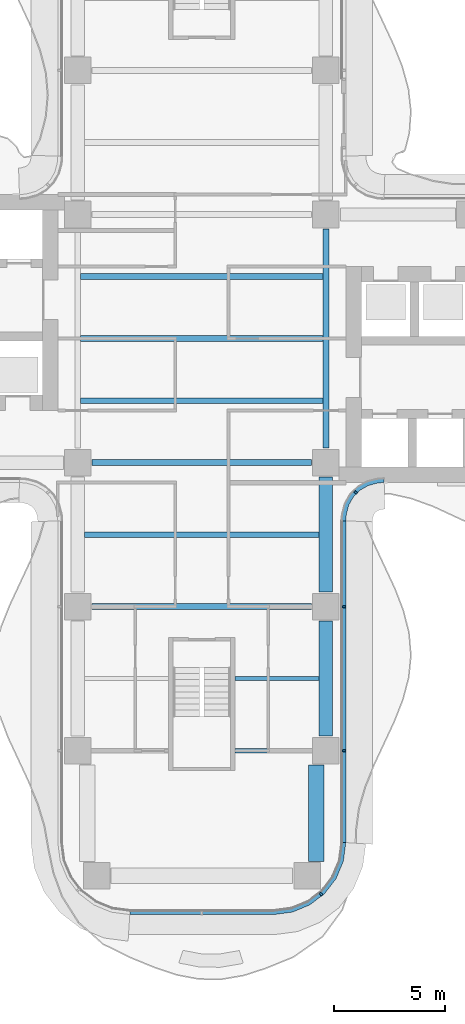
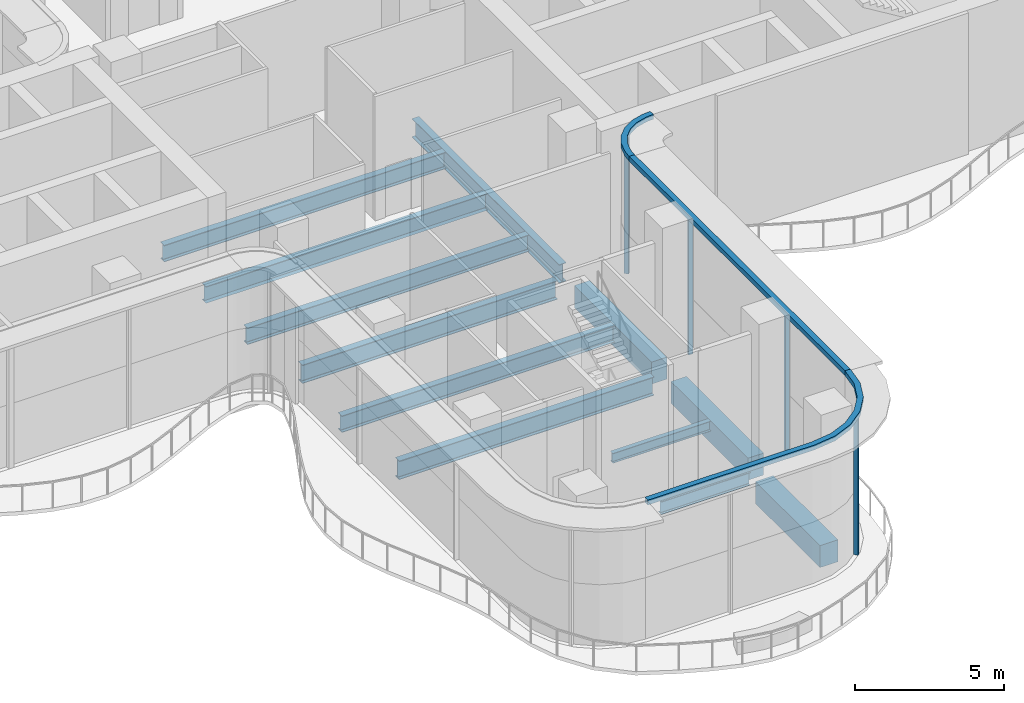
# One storey, part 4 of 19: 12 beams, 7 members, 3 elements without a shape of their own.
"""IFC4 building model written with IfcOpenShell, lengths in metres."""

from ifc_helpers import new_model, si_unit, direction, frame, origin, origin_2d, place, context, subcontext, project, spatial, polyline, rectangle, i_section, outline, extrude, source, transform, mapped, material, layer, layer_set, material_profile, profile_set, type_object, element, aggregate, save


model = new_model("IFC4")

# Units and contexts
model_context = context("Model", 3, precision=1e-05, world=origin(), true_north=direction((0.0, 1.0)))
body_context = subcontext(model_context, "Body", "Model", "MODEL_VIEW")
ifc_project = project(units=[si_unit("LENGTHUNIT", "METRE"), si_unit("AREAUNIT", "SQUARE_METRE"), si_unit("VOLUMEUNIT", "CUBIC_METRE"), si_unit("PLANEANGLEUNIT", "RADIAN"), si_unit("MASSUNIT", "GRAM", prefix="KILO")], contexts=[model_context])

# Site, building, storey
site_placement = place(None, origin())
site = spatial("IfcSite", under=ifc_project, at=site_placement, CompositionType="ELEMENT")
building_placement = place(site_placement, origin())
building = spatial("IfcBuilding", under=site, at=building_placement, Name="Trellis Farm Tower", CompositionType="ELEMENT")
storey_placement = place(building_placement, frame((0.0, 0.0, 156.0)))
storey = spatial("IfcBuildingStorey", under=building, at=storey_placement, Name="L33", CompositionType="ELEMENT", Elevation=156.0)

# Curtain wall, member
ifc_material_1 = material(Name="Aluminium and glass curtain wall", Category="aluminium")
ifc_layer_1 = layer(ifc_material_1, 0.196044921875)
ifc_layer_set_1 = layer_set([ifc_layer_1], Name="LOUVRED GLASS CURTAIN WALL CW6")
curtain_wall_type = type_object("IfcCurtainWallType", Name="LOUVRED GLASS CURTAIN WALL CW6", PredefinedType="NOTDEFINED", material=ifc_layer_set_1)
placement_1 = place(storey_placement, origin())
curtain_wall_1 = element("IfcCurtainWall", 1, at=placement_1, inside=storey, type_object=curtain_wall_type, Name="CW6 004", PredefinedType="NOTDEFINED")
ifc_material_2 = material(Name="Aluminium extrusion 6063-T6", Category="aluminium")
ifc_layer_2 = layer(ifc_material_2, 0.2099609375)
ifc_layer_set_2 = layer_set([ifc_layer_2], Name="Aluminium extrusion 6063-T6")
member_type_1 = type_object("IfcMemberType", Name="CW6 TRANSOM 210x200", PredefinedType="USERDEFINED", material=ifc_layer_set_2)
placement_2 = place(storey_placement, frame((0.0, 0.0, 5.60009765625)))
member_1 = element("IfcMember", 2, at=placement_2, type_object=member_type_1, Name="TR6 004", ObjectType="TRANSOM", PredefinedType="USERDEFINED", context=body_context, shape_type="SweptSolid", body=[
    extrude(outline(polyline([(-3.25, -26.0), (3.25, -26.0), (4.091064453125, -25.88916015625), (4.875, -25.564697265625), (5.548095703125, -25.048095703125), (6.064697265625, -24.375), (6.38916015625, -23.591064453125), (6.5, -22.75), (6.2900390625, -22.736328125), (6.1845703125, -23.536376953125), (5.881103515625, -24.26904296875), (5.3984375, -24.8984375), (4.76904296875, -25.381103515625), (4.036376953125, -25.6845703125), (3.236328125, -25.7900390625), (-3.236328125, -25.7900390625), (-3.25, -26.0)])), origin(), (0.0, 0.0, 1.0), 0.199951171875),
])

curtain_wall_2 = element("IfcCurtainWall", 3, at=placement_1, inside=storey, type_object=curtain_wall_type, Name="CW6 005", PredefinedType="NOTDEFINED")
member_2 = element("IfcMember", 4, at=placement_2, type_object=member_type_1, Name="TR6 005", ObjectType="TRANSOM", PredefinedType="USERDEFINED", context=body_context, shape_type="SweptSolid", body=[
    extrude(outline(polyline([(6.5, -22.75), (6.5, -8.2314453125), (6.2900390625, -8.224609375), (6.2900390625, -22.736328125), (6.5, -22.75)])), origin(), (0.0, 0.0, 1.0), 0.199951171875),
])

# Beams
ifc_material_3 = material(Name="Steel S355", Category="steel")
ifc_material_profile_1 = material_profile(ifc_material_3, i_section(OverallWidth=0.253662109375, OverallDepth=0.68359375, WebThickness=0.012451171875, FlangeThickness=0.021728515625, FilletRadius=0.01513671875, at=origin_2d()), Name="UB 686x254x140")
ifc_profile_set_1 = profile_set([ifc_material_profile_1], Name="Steel S355")
beam_type_1 = type_object("IfcBeamType", Name="UB 686x254x140 joist", PredefinedType="JOIST", material=ifc_profile_set_1)
shared_shape_1 = source(origin(), body_context, "Body", "SweptSolid", [
    extrude(i_section(OverallWidth=0.253662109375, OverallDepth=0.68359375, WebThickness=0.012451171875, FlangeThickness=0.021728515625, FilletRadius=0.01513671875, at=origin_2d()), origin(), (0.0, 0.0, 1.0), 10.93310546875),
])
for number, where, z_axis, x_axis, name in (
    (5, (-5.466552734375, -2.800048828125, -0.691650390625), (1.0, 0.0, 0.0), (0.0, 1.0, 0.0), "Floor beam"),
    (6, (-5.466552734375, 0.0, -0.691650390625), (1.0, 0.0, 0.0), (0.0, 1.0, 0.0), "Floor beam"),
    (7, (-5.466552734375, 2.800048828125, -0.691650390625), (1.0, 0.0, 0.0), (0.0, 1.0, 0.0), "Floor beam"),
):
    element("IfcBeam", number, at=place(storey_placement, frame(where, z_axis=z_axis, x_axis=x_axis)), inside=storey, type_object=beam_type_1, Name=name, PredefinedType="JOIST", context=body_context, shape_type="MappedRepresentation", body=[
        mapped(shared_shape_1, transform((0.0, 0.0, 0.0))),
    ])
ifc_material_profile_2 = material_profile(ifc_material_3, i_section(OverallWidth=0.177978515625, OverallDepth=0.406494140625, WebThickness=0.0078125, FlangeThickness=0.0126953125, FilletRadius=0.01025390625, at=origin_2d()), Name="UB 406x178x60")
ifc_profile_set_2 = profile_set([ifc_material_profile_2], Name="Steel S355")
beam_type_2 = type_object("IfcBeamType", Name="UB 406x178x60 joist", PredefinedType="JOIST", material=ifc_profile_set_2)
shared_shape_2 = source(origin(), body_context, "Body", "SweptSolid", [
    extrude(i_section(OverallWidth=0.177978515625, OverallDepth=0.406494140625, WebThickness=0.0078125, FlangeThickness=0.0126953125, FilletRadius=0.01025390625, at=origin_2d()), origin(), (0.0, 0.0, 1.0), 3.800048828125),
])
beam_1_placement = place(storey_placement, frame((1.5, -15.35009765625, -0.55322265625), z_axis=(1.0, 0.0, 0.0), x_axis=(0.0, 1.0, 0.0)))
element("IfcBeam", 8, at=beam_1_placement, inside=storey, type_object=beam_type_2, Name="Floor beam", PredefinedType="JOIST", context=body_context, shape_type="MappedRepresentation", body=[
    mapped(shared_shape_2, transform((0.0, 0.0, 0.0))),
])
shared_shape_3 = source(origin(), body_context, "Body", "SweptSolid", [
    extrude(i_section(OverallWidth=0.253662109375, OverallDepth=0.68359375, WebThickness=0.012451171875, FlangeThickness=0.021728515625, FilletRadius=0.01513671875, at=origin_2d()), origin(), (0.0, 0.0, 1.0), 10.60009765625),
])
beam_2_placement = place(storey_placement, frame((-5.300048828125, -8.85009765625, -0.691650390625), z_axis=(1.0, 0.0, 0.0), x_axis=(0.0, 1.0, 0.0)))
element("IfcBeam", 9, at=beam_2_placement, inside=storey, type_object=beam_type_1, Name="Floor beam", PredefinedType="JOIST", context=body_context, shape_type="MappedRepresentation", body=[
    mapped(shared_shape_3, transform((0.0, 0.0, 0.0))),
])
ifc_material_profile_3 = material_profile(ifc_material_3, i_section(OverallWidth=0.209228515625, OverallDepth=0.533203125, WebThickness=0.010009765625, FlangeThickness=0.015625, FilletRadius=0.0126953125, at=origin_2d()), Name="UB 533x210x92")
ifc_profile_set_3 = profile_set([ifc_material_profile_3], Name="Steel S355")
beam_type_3 = type_object("IfcBeamType", Name="UB 533x210x92", PredefinedType="BEAM", material=ifc_profile_set_3)
shared_shape_4 = source(origin(), body_context, "Body", "SweptSolid", [
    extrude(i_section(OverallWidth=0.209228515625, OverallDepth=0.533203125, WebThickness=0.010009765625, FlangeThickness=0.015625, FilletRadius=0.0126953125, at=origin_2d()), origin(), (0.0, 0.0, 1.0), 3.449951171875),
])
beam_3_placement = place(storey_placement, frame((1.5, -18.60009765625, -0.616455078125), z_axis=(1.0, 0.0, 0.0), x_axis=(0.0, 1.0, 0.0)))
element("IfcBeam", 10, at=beam_3_placement, inside=storey, type_object=beam_type_3, Name="Girder", PredefinedType="BEAM", context=body_context, shape_type="MappedRepresentation", body=[
    mapped(shared_shape_4, transform((0.0, 0.0, 0.0))),
])
ifc_material_profile_4 = material_profile(ifc_material_3, i_section(OverallWidth=0.2666015625, OverallDepth=0.76220703125, WebThickness=0.014404296875, FlangeThickness=0.021484375, FilletRadius=0.0166015625, at=origin_2d()), Name="UB 762x267x173")
ifc_profile_set_4 = profile_set([ifc_material_profile_4], Name="Steel S355")
beam_type_4 = type_object("IfcBeamType", Name="UB 762x267x173", PredefinedType="BEAM", material=ifc_profile_set_4)
shared_shape_5 = source(origin(), body_context, "Body", "SweptSolid", [
    extrude(i_section(OverallWidth=0.2666015625, OverallDepth=0.76220703125, WebThickness=0.014404296875, FlangeThickness=0.021484375, FilletRadius=0.0166015625, at=origin_2d()), origin(), (0.0, 0.0, 1.0), 9.89990234375),
])
for number, where, z_axis, x_axis, name in (
    (11, (-4.949951171875, -12.10009765625, -0.731201171875), (1.0, 0.0, 0.0), (0.0, 1.0, 0.0), "Girder"),
    (12, (-4.949951171875, -5.60009765625, -0.731201171875), (1.0, 0.0, 0.0), (0.0, 1.0, 0.0), "Girder"),
    (13, (5.60009765625, -4.949951171875, -0.731201171875), (0.0, 1.0, 0.0), (-1.0, 0.0, 0.0), "Girder"),
):
    element("IfcBeam", number, at=place(storey_placement, frame(where, z_axis=z_axis, x_axis=x_axis)), inside=storey, type_object=beam_type_4, Name=name, PredefinedType="BEAM", context=body_context, shape_type="MappedRepresentation", body=[
        mapped(shared_shape_5, transform((0.0, 0.0, 0.0))),
    ])
ifc_material_4 = material(Name="Concrete C60/75", Category="concrete")
ifc_material_profile_5 = material_profile(ifc_material_4, rectangle(XDim=0.60009765625, YDim=0.89990234375, at=origin_2d()), Name="RC spandrel beam 600x900 C60/75")
ifc_profile_set_5 = profile_set([ifc_material_profile_5], Name="Concrete C60/75")
beam_type_5 = type_object("IfcBeamType", Name="RC spandrel beam 600x900 C60/75", PredefinedType="SPANDREL", material=ifc_profile_set_5)
shared_shape_6 = source(origin(), body_context, "Body", "SweptSolid", [
    extrude(rectangle(XDim=0.60009765625, YDim=0.89990234375, at=origin_2d()), origin(), (0.0, 0.0, 1.0), 5.199951171875),
])
for number, where, z_axis, x_axis, name in (
    (14, (5.60009765625, -17.949951171875, -0.800048828125), (0.0, 1.0, 0.0), (-1.0, 0.0, 0.0), "Girder"),
    (15, (5.60009765625, -11.449951171875, -0.800048828125), (0.0, 1.0, 0.0), (-1.0, 0.0, 0.0), "Girder"),
):
    element("IfcBeam", number, at=place(storey_placement, frame(where, z_axis=z_axis, x_axis=x_axis)), inside=storey, type_object=beam_type_5, Name=name, PredefinedType="SPANDREL", context=body_context, shape_type="MappedRepresentation", body=[
        mapped(shared_shape_6, transform((0.0, 0.0, 0.0))),
    ])
ifc_material_profile_6 = material_profile(ifc_material_4, rectangle(XDim=0.699951171875, YDim=0.89990234375, at=origin_2d()), Name="RC spandrel beam 700x900 C60/75")
ifc_profile_set_6 = profile_set([ifc_material_profile_6], Name="Concrete C60/75")
beam_type_6 = type_object("IfcBeamType", Name="RC spandrel beam 700x900 C60/75", PredefinedType="SPANDREL", material=ifc_profile_set_6)
shared_shape_7 = source(origin(), body_context, "Body", "SweptSolid", [
    extrude(rectangle(XDim=0.699951171875, YDim=0.89990234375, at=origin_2d()), origin(), (0.0, 0.0, 1.0), 4.35009765625),
])
beam_4_placement = place(storey_placement, frame((5.175048828125, -23.60009765625, -0.800048828125), z_axis=(0.0, 1.0, 0.0), x_axis=(-1.0, 0.0, 0.0)))
element("IfcBeam", 16, at=beam_4_placement, inside=storey, type_object=beam_type_6, Name="Girder", PredefinedType="SPANDREL", context=body_context, shape_type="MappedRepresentation", body=[
    mapped(shared_shape_7, transform((0.0, 0.0, 0.0))),
])

# Member
ifc_material_profile_7 = material_profile(ifc_material_2, rectangle(XDim=0.090087890625, YDim=0.159912109375, at=origin_2d()), Name="MULLION 90x160")
ifc_profile_set_7 = profile_set([ifc_material_profile_7], Name="Aluminium extrusion 6063-T6")
member_type_2 = type_object("IfcMemberType", Name="CW6 MULLION 90x160", PredefinedType="MULLION", material=ifc_profile_set_7)
shared_shape_8 = source(origin(), body_context, "Body", "SweptSolid", [
    extrude(rectangle(XDim=0.090087890625, YDim=0.159912109375, at=origin_2d()), origin(), (0.0, 0.0, 1.0), 5.60009765625),
])
member_3_placement = place(storey_placement, frame((5.382568359375, -25.07421875, 0.0), z_axis=(0.0, 0.0, 1.0), x_axis=(0.793353340291, 0.608761429009, 0.0)))
member_3 = element("IfcMember", 17, at=member_3_placement, type_object=member_type_2, Name="MU6 004-02", PredefinedType="MULLION", context=body_context, shape_type="MappedRepresentation", body=[
    mapped(shared_shape_8, transform((0.0, 0.0, 0.0))),
])

aggregate(curtain_wall_1, [member_3, member_1])

member_4_placement = place(storey_placement, frame((6.419921875, -18.60009765625, 0.0), z_axis=(0.0, 0.0, 1.0), x_axis=(0.0, 1.0, 0.0)))
member_4 = element("IfcMember", 18, at=member_4_placement, type_object=member_type_2, Name="MU6 005-01", PredefinedType="MULLION", context=body_context, shape_type="MappedRepresentation", body=[
    mapped(shared_shape_8, transform((0.0, 0.0, 0.0))),
])

member_5_placement = place(storey_placement, frame((6.419921875, -12.10009765625, 0.0), z_axis=(0.0, 0.0, 1.0), x_axis=(0.0, 1.0, 0.0)))
member_5 = element("IfcMember", 19, at=member_5_placement, type_object=member_type_2, Name="MU6 005-02", PredefinedType="MULLION", context=body_context, shape_type="MappedRepresentation", body=[
    mapped(shared_shape_8, transform((0.0, 0.0, 0.0))),
])

aggregate(curtain_wall_2, [member_4, member_5, member_2])

# Curtain wall, members
curtain_wall_3 = element("IfcCurtainWall", 20, at=placement_1, inside=storey, type_object=curtain_wall_type, Name="CW6 006", PredefinedType="NOTDEFINED")
member_6_placement = place(storey_placement, frame((6.93896484375, -6.93896484375, 0.0), z_axis=(0.0, 0.0, 1.0), x_axis=(0.707106781187, 0.707106781187, 0.0)))
member_6 = element("IfcMember", 21, at=member_6_placement, type_object=member_type_2, Name="MU6 006-01", PredefinedType="MULLION", context=body_context, shape_type="MappedRepresentation", body=[
    mapped(shared_shape_8, transform((0.0, 0.0, 0.0))),
])
shared_shape_9 = source(origin(), body_context, "Body", "SweptSolid", [
    extrude(outline(polyline([(6.5, -8.2314453125), (6.513916015625, -8.01953125), (6.527587890625, -7.91552734375), (6.63671875, -7.508544921875), (6.846923828125, -7.144287109375), (7.144287109375, -6.846923828125), (7.508544921875, -6.63671875), (7.91552734375, -6.527587890625), (8.01953125, -6.513916015625), (8.2314453125, -6.5), (8.224609375, -6.2900390625), (7.9990234375, -6.3046875), (7.87451171875, -6.321044921875), (7.427490234375, -6.44091796875), (7.015380859375, -6.678955078125), (6.678955078125, -7.015380859375), (6.44091796875, -7.427490234375), (6.321044921875, -7.87451171875), (6.3046875, -7.9990234375), (6.2900390625, -8.224609375), (6.5, -8.2314453125)])), origin(), (0.0, 0.0, 1.0), 0.199951171875),
])
member_7 = element("IfcMember", 22, at=placement_2, type_object=member_type_1, Name="TR6 006", ObjectType="TRANSOM", PredefinedType="USERDEFINED", context=body_context, shape_type="MappedRepresentation", body=[
    mapped(shared_shape_9, transform((0.0, 0.0, 0.0))),
])
aggregate(curtain_wall_3, [member_6, member_7])

save(model, "model.ifc")
